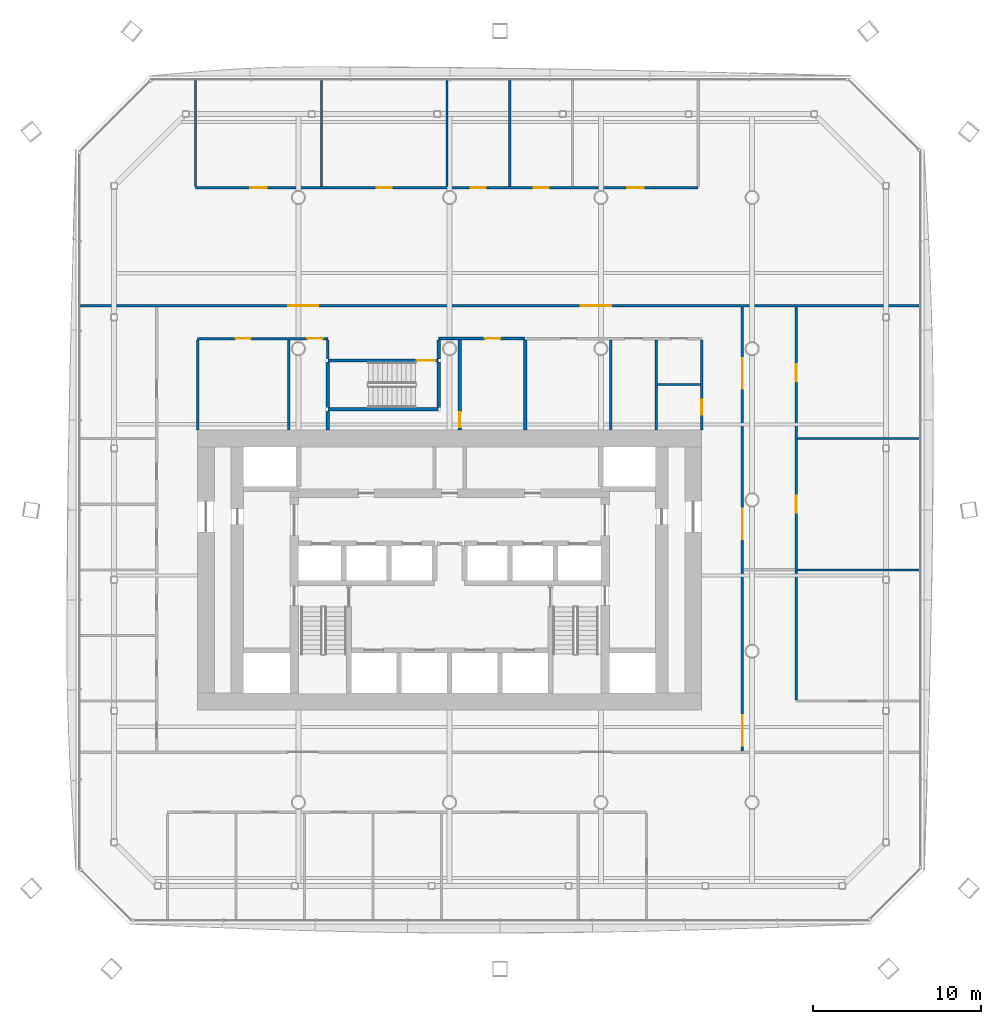
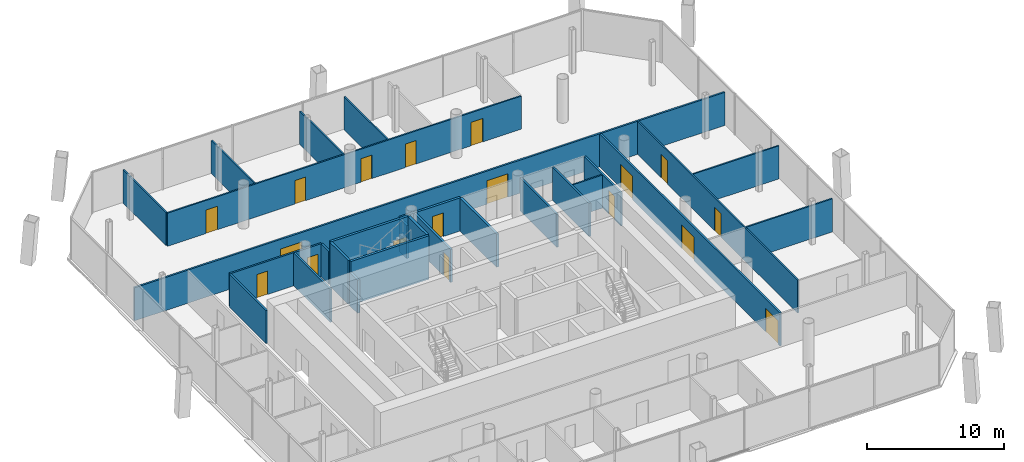
# One storey, part 13 of 19: 27 walls, 18 doors, 18 openings.
"""IFC4 building model written with IfcOpenShell, lengths in metres."""

from ifc_helpers import new_model, si_unit, direction, frame, frame_2d, origin, place, context, subcontext, project, spatial, rectangle, extrude, material, layer, layer_set, type_object, element, fill, save


model = new_model("IFC4")

# Units and contexts
model_context = context("Model", 3, precision=1e-05, world=origin(), true_north=direction((0.0, 1.0)))
body_context = subcontext(model_context, "Body", "Model", "MODEL_VIEW")
ifc_project = project(units=[si_unit("LENGTHUNIT", "METRE"), si_unit("AREAUNIT", "SQUARE_METRE"), si_unit("VOLUMEUNIT", "CUBIC_METRE"), si_unit("PLANEANGLEUNIT", "RADIAN"), si_unit("MASSUNIT", "GRAM", prefix="KILO")], contexts=[model_context])

# Site, building, storey
site_placement = place(None, origin())
site = spatial("IfcSite", under=ifc_project, at=site_placement, CompositionType="ELEMENT")
building_placement = place(site_placement, origin())
building = spatial("IfcBuilding", under=site, at=building_placement, Name="Tskaro Facet Tower", CompositionType="ELEMENT")
storey_placement = place(building_placement, frame((0.0, 0.0, 77.699951171875)))
storey = spatial("IfcBuildingStorey", under=building, at=storey_placement, Name="L18", CompositionType="ELEMENT", Elevation=77.699951171875)

# Walls
ifc_material_1 = material(Name="Gypsum board on steel studs", Category="steel")
ifc_layer_1 = layer(ifc_material_1, 0.125, Name="Gypsum board on steel studs")
ifc_layer_set_1 = layer_set([ifc_layer_1], Name="Gypsum board on steel studs")
wall_type_1 = type_object("IfcWallType", Name="PART", PredefinedType="PARTITIONING", material=ifc_layer_set_1)
for number, where, z_axis, x_axis, name in (
    (1, (20.6875, -4.162109375, 0.0), (0.0, 0.0, 1.0), (1.0, 0.0, 0.0), "Partition W013"),
    (2, (20.6875, 3.64794921875, 0.0), (0.0, 0.0, 1.0), (1.0, 0.0, 0.0), "Partition W021"),
):
    element("IfcWall", number, at=place(storey_placement, frame(where, z_axis=z_axis, x_axis=x_axis)), inside=storey, type_object=wall_type_1, Name=name, PredefinedType="PARTITIONING", context=body_context, shape_type="SweptSolid", body=[
        extrude(rectangle(XDim=7.2734375, YDim=0.125, at=frame_2d((3.63671875, 0.0))), origin(), (0.0, 0.0, 1.0), 2.9599609375),
    ])
wall_1_placement = place(storey_placement, frame((12.375, 6.8779296875, 0.0), z_axis=(0.0, 0.0, 1.0), x_axis=(1.0, 0.0, 0.0)))
element("IfcWall", 3, at=wall_1_placement, inside=storey, type_object=wall_type_1, Name="Partition W023", PredefinedType="PARTITIONING", context=body_context, shape_type="SweptSolid", body=[
    extrude(rectangle(XDim=2.550048828125, YDim=0.125, at=frame_2d((1.27490234375, 0.0))), origin(), (0.0, 0.0, 1.0), 2.9599609375),
])

# Wall, openings, doors
wall_2_placement = place(storey_placement, frame((-15.110107421875, 18.580078125, 0.0), z_axis=(0.0, 0.0, 1.0), x_axis=(1.0, 0.0, 0.0)))
wall_2 = element("IfcWall", 4, at=wall_2_placement, inside=storey, type_object=wall_type_1, Name="Partition W029", PredefinedType="PARTITIONING", context=body_context, shape_type="SweptSolid", body=[
    extrude(rectangle(XDim=29.904052734375, YDim=0.125, at=frame_2d((14.9521484375, 0.0))), origin(), (0.0, 0.0, 1.0), 2.9599609375),
])
opening_1_placement = place(wall_2_placement, frame((25.666015625, 0.0, 0.0)))
opening_1 = element("IfcOpeningElement", 5, at=opening_1_placement, cuts=wall_2, Name="Opening T5-D48", PredefinedType="OPENING", context=body_context, shape_type="SweptSolid", body=[
    extrude(rectangle(XDim=1.0, YDim=2.10009765625, at=frame_2d((0.5, 1.050048828125))), frame((0.0, 0.072509765625, 0.0), z_axis=(0.0, -1.0, 0.0), x_axis=(1.0, 0.0, 0.0)), (0.0, 0.0, 1.0), 0.14501953125),
])
opening_2_placement = place(wall_2_placement, frame((3.238037109375, 0.0, 0.0)))
opening_2 = element("IfcOpeningElement", 6, at=opening_2_placement, cuts=wall_2, Name="Opening T5-D44", PredefinedType="OPENING", context=body_context, shape_type="SweptSolid", body=[
    extrude(rectangle(XDim=1.0, YDim=2.10009765625, at=frame_2d((0.5, 1.050048828125))), frame((0.0, 0.072509765625, 0.0), z_axis=(0.0, -1.0, 0.0), x_axis=(1.0, 0.0, 0.0)), (0.0, 0.0, 1.0), 0.14501953125),
])
opening_3_placement = place(wall_2_placement, frame((10.763916015625, 0.0, 0.0)))
opening_3 = element("IfcOpeningElement", 7, at=opening_3_placement, cuts=wall_2, Name="Opening T5-D45", PredefinedType="OPENING", context=body_context, shape_type="SweptSolid", body=[
    extrude(rectangle(XDim=0.89990234375, YDim=2.10009765625, at=frame_2d((0.449951171875, 1.050048828125))), frame((0.0, 0.072509765625, 0.0), z_axis=(0.0, -1.0, 0.0), x_axis=(1.0, 0.0, 0.0)), (0.0, 0.0, 1.0), 0.14501953125),
])
opening_4_placement = place(wall_2_placement, frame((16.37109375, 0.0, 0.0)))
opening_4 = element("IfcOpeningElement", 8, at=opening_4_placement, cuts=wall_2, Name="Opening T5-D46", PredefinedType="OPENING", context=body_context, shape_type="SweptSolid", body=[
    extrude(rectangle(XDim=0.89990234375, YDim=2.10009765625, at=frame_2d((0.449951171875, 1.050048828125))), frame((0.0, 0.072509765625, 0.0), z_axis=(0.0, -1.0, 0.0), x_axis=(1.0, 0.0, 0.0)), (0.0, 0.0, 1.0), 0.14501953125),
])
opening_5_placement = place(wall_2_placement, frame((20.10888671875, 0.0, 0.0)))
opening_5 = element("IfcOpeningElement", 9, at=opening_5_placement, cuts=wall_2, Name="Opening T5-D47", PredefinedType="OPENING", context=body_context, shape_type="SweptSolid", body=[
    extrude(rectangle(XDim=0.89990234375, YDim=2.10009765625, at=frame_2d((0.449951171875, 1.050048828125))), frame((0.0, 0.072509765625, 0.0), z_axis=(0.0, -1.0, 0.0), x_axis=(1.0, 0.0, 0.0)), (0.0, 0.0, 1.0), 0.14501953125),
])
ifc_material_2 = material(Name="Timber", Category="wood")
door_type_1 = type_object("IfcDoorType", Name="D-ROOM", OperationType="NOTDEFINED", PredefinedType="DOOR", material=ifc_material_2)
door_1_placement = place(opening_3_placement, origin())
door_1 = element("IfcDoor", 10, at=door_1_placement, inside=storey, type_object=door_type_1, Name="Door T5-D45", OperationType="SINGLE_SWING_LEFT", OverallHeight=2.10009765625, OverallWidth=0.89990234375, PredefinedType="DOOR", context=body_context, shape_type="SweptSolid", body=[
    extrude(rectangle(XDim=0.89990234375, YDim=2.10009765625, at=frame_2d((0.449951171875, 1.050048828125))), frame((0.0, 0.02490234375, 0.0), z_axis=(0.0, -1.0, 0.0), x_axis=(1.0, 0.0, 0.0)), (0.0, 0.0, 1.0), 0.050048828125),
])
fill(opening_3, door_1)
door_2_placement = place(opening_4_placement, origin())
door_2 = element("IfcDoor", 11, at=door_2_placement, inside=storey, type_object=door_type_1, Name="Door T5-D46", OperationType="SINGLE_SWING_LEFT", OverallHeight=2.10009765625, OverallWidth=0.89990234375, PredefinedType="DOOR", context=body_context, shape_type="SweptSolid", body=[
    extrude(rectangle(XDim=0.89990234375, YDim=2.10009765625, at=frame_2d((0.449951171875, 1.050048828125))), frame((0.0, 0.02490234375, 0.0), z_axis=(0.0, -1.0, 0.0), x_axis=(1.0, 0.0, 0.0)), (0.0, 0.0, 1.0), 0.050048828125),
])
fill(opening_4, door_2)
door_3_placement = place(opening_5_placement, origin())
door_3 = element("IfcDoor", 12, at=door_3_placement, inside=storey, type_object=door_type_1, Name="Door T5-D47", OperationType="SINGLE_SWING_LEFT", OverallHeight=2.10009765625, OverallWidth=0.89990234375, PredefinedType="DOOR", context=body_context, shape_type="SweptSolid", body=[
    extrude(rectangle(XDim=0.89990234375, YDim=2.10009765625, at=frame_2d((0.449951171875, 1.050048828125))), frame((0.0, 0.02490234375, 0.0), z_axis=(0.0, -1.0, 0.0), x_axis=(1.0, 0.0, 0.0)), (0.0, 0.0, 1.0), 0.050048828125),
])
fill(opening_5, door_3)
door_type_2 = type_object("IfcDoorType", Name="D-ROOM-WIDE", OperationType="NOTDEFINED", PredefinedType="DOOR", material=ifc_material_2)
door_4_placement = place(opening_1_placement, origin())
door_4 = element("IfcDoor", 13, at=door_4_placement, inside=storey, type_object=door_type_2, Name="Door T5-D48", OperationType="SINGLE_SWING_LEFT", OverallHeight=2.10009765625, OverallWidth=1.0, PredefinedType="DOOR", context=body_context, shape_type="SweptSolid", body=[
    extrude(rectangle(XDim=1.0, YDim=2.10009765625, at=frame_2d((0.5, 1.050048828125))), frame((0.0, 0.02490234375, 0.0), z_axis=(0.0, -1.0, 0.0), x_axis=(1.0, 0.0, 0.0)), (0.0, 0.0, 1.0), 0.050048828125),
])
fill(opening_1, door_4)
door_5_placement = place(opening_2_placement, origin())
door_5 = element("IfcDoor", 14, at=door_5_placement, inside=storey, type_object=door_type_2, Name="Door T5-D44", OperationType="SINGLE_SWING_LEFT", OverallHeight=2.10009765625, OverallWidth=1.0, PredefinedType="DOOR", context=body_context, shape_type="SweptSolid", body=[
    extrude(rectangle(XDim=1.0, YDim=2.10009765625, at=frame_2d((0.5, 1.050048828125))), frame((0.0, 0.02490234375, 0.0), z_axis=(0.0, -1.0, 0.0), x_axis=(1.0, 0.0, 0.0)), (0.0, 0.0, 1.0), 0.050048828125),
])
fill(opening_2, door_5)

# Walls
for number, where, z_axis, x_axis, name in (
    (15, (-15.110107421875, 18.642578125, 0.0), (0.0, 0.0, 1.0), (0.0, 1.0, 0.0), "Partition W032"),
    (16, (-7.634033203125, 18.642578125, 0.0), (0.0, 0.0, 1.0), (0.0, 1.0, 0.0), "Partition W038"),
    (17, (-0.157958984375, 18.642578125, 0.0), (0.0, 0.0, 1.0), (0.0, 1.0, 0.0), "Partition W052"),
    (18, (3.580078125, 18.642578125, 0.0), (0.0, 0.0, 1.0), (0.0, 1.0, 0.0), "Partition W058"),
):
    element("IfcWall", number, at=place(storey_placement, frame(where, z_axis=z_axis, x_axis=x_axis)), inside=storey, type_object=wall_type_1, Name=name, PredefinedType="PARTITIONING", context=body_context, shape_type="SweptSolid", body=[
        extrude(rectangle(XDim=6.318359375, YDim=0.125, at=frame_2d((3.1591796875, 0.0))), origin(), (0.0, 0.0, 1.0), 2.9599609375),
    ])

# Wall, openings, doors
wall_3_placement = place(storey_placement, frame((20.625, 11.47998046875, 0.0), z_axis=(0.0, 0.0, 1.0), x_axis=(0.0, -1.0, 0.0)))
wall_3 = element("IfcWall", 19, at=wall_3_placement, inside=storey, type_object=wall_type_1, Name="Partition W072", PredefinedType="PARTITIONING", context=body_context, shape_type="SweptSolid", body=[
    extrude(rectangle(XDim=23.390380859375, YDim=0.125, at=frame_2d((11.6953125, 0.0))), origin(), (0.0, 0.0, 1.0), 2.9599609375),
])
opening_6_placement = place(wall_3_placement, frame((11.237060546875, 0.0, 0.0)))
opening_6 = element("IfcOpeningElement", 20, at=opening_6_placement, cuts=wall_3, Name="Opening T5-D24", PredefinedType="OPENING", context=body_context, shape_type="SweptSolid", body=[
    extrude(rectangle(XDim=1.0, YDim=2.10009765625, at=frame_2d((0.5, 1.050048828125))), frame((0.0, 0.072509765625, 0.0), z_axis=(0.0, -1.0, 0.0), x_axis=(1.0, 0.0, 0.0)), (0.0, 0.0, 1.0), 0.14501953125),
])
opening_7_placement = place(wall_3_placement, frame((3.416015625, 0.0, 0.0)))
opening_7 = element("IfcOpeningElement", 21, at=opening_7_placement, cuts=wall_3, Name="Opening T5-D35", PredefinedType="OPENING", context=body_context, shape_type="SweptSolid", body=[
    extrude(rectangle(XDim=1.0, YDim=2.10009765625, at=frame_2d((0.5, 1.050048828125))), frame((0.0, 0.072509765625, 0.0), z_axis=(0.0, -1.0, 0.0), x_axis=(1.0, 0.0, 0.0)), (0.0, 0.0, 1.0), 0.14501953125),
])
door_6_placement = place(opening_6_placement, origin())
door_6 = element("IfcDoor", 22, at=door_6_placement, inside=storey, type_object=door_type_2, Name="Door T5-D24", OperationType="SINGLE_SWING_RIGHT", OverallHeight=2.10009765625, OverallWidth=1.0, PredefinedType="DOOR", context=body_context, shape_type="SweptSolid", body=[
    extrude(rectangle(XDim=1.0, YDim=2.10009765625, at=frame_2d((0.5, 1.050048828125))), frame((0.0, 0.02490234375, 0.0), z_axis=(0.0, -1.0, 0.0), x_axis=(1.0, 0.0, 0.0)), (0.0, 0.0, 1.0), 0.050048828125),
])
fill(opening_6, door_6)
door_7_placement = place(opening_7_placement, origin())
door_7 = element("IfcDoor", 23, at=door_7_placement, inside=storey, type_object=door_type_2, Name="Door T5-D35", OperationType="SINGLE_SWING_RIGHT", OverallHeight=2.10009765625, OverallWidth=1.0, PredefinedType="DOOR", context=body_context, shape_type="SweptSolid", body=[
    extrude(rectangle(XDim=1.0, YDim=2.10009765625, at=frame_2d((0.5, 1.050048828125))), frame((0.0, 0.02490234375, 0.0), z_axis=(0.0, -1.0, 0.0), x_axis=(1.0, 0.0, 0.0)), (0.0, 0.0, 1.0), 0.050048828125),
])
fill(opening_7, door_7)

ifc_layer_2 = layer(ifc_material_1, 0.14990234375, Name="Gypsum board on steel studs")
ifc_layer_set_2 = layer_set([ifc_layer_2], Name="Gypsum board on steel studs")
wall_type_2 = type_object("IfcWallType", Name="PART-CORR", PredefinedType="PARTITIONING", material=ifc_layer_set_2)
wall_4_placement = place(storey_placement, frame((-7.25, 9.60498046875, 0.0), z_axis=(0.0, 0.0, 1.0), x_axis=(-1.0, 0.0, 0.0)))
wall_4 = element("IfcWall", 24, at=wall_4_placement, inside=storey, type_object=wall_type_2, Name="Corridor wall W025", PredefinedType="PARTITIONING", context=body_context, shape_type="SweptSolid", body=[
    extrude(rectangle(XDim=7.75, YDim=0.14990234375, at=frame_2d((3.875, 0.0))), origin(), (0.0, 0.0, 1.0), 2.9599609375),
])
opening_8_placement = place(wall_4_placement, frame((0.3125, 0.0, 0.0)))
opening_8 = element("IfcOpeningElement", 25, at=opening_8_placement, cuts=wall_4, Name="Opening T5-D37", PredefinedType="OPENING", context=body_context, shape_type="SweptSolid", body=[
    extrude(rectangle(XDim=0.89990234375, YDim=2.10009765625, at=frame_2d((0.449951171875, 1.050048828125))), frame((0.0, 0.0849609375, 0.0), z_axis=(0.0, -1.0, 0.0), x_axis=(1.0, 0.0, 0.0)), (0.0, 0.0, 1.0), 0.169921875),
])
opening_9_placement = place(wall_4_placement, frame((4.58740234375, 0.0, 0.0)))
opening_9 = element("IfcOpeningElement", 26, at=opening_9_placement, cuts=wall_4, Name="Opening T5-D36", PredefinedType="OPENING", context=body_context, shape_type="SweptSolid", body=[
    extrude(rectangle(XDim=0.89990234375, YDim=2.10009765625, at=frame_2d((0.449951171875, 1.050048828125))), frame((0.0, 0.0849609375, 0.0), z_axis=(0.0, -1.0, 0.0), x_axis=(1.0, 0.0, 0.0)), (0.0, 0.0, 1.0), 0.169921875),
])
ifc_material_3 = material(Name="Steel", Category="steel")
door_type_3 = type_object("IfcDoorType", Name="D-RISER", OperationType="NOTDEFINED", PredefinedType="DOOR", material=ifc_material_3)
door_8_placement = place(opening_8_placement, origin())
door_8 = element("IfcDoor", 27, at=door_8_placement, inside=storey, type_object=door_type_3, Name="Door T5-D37", OperationType="SINGLE_SWING_RIGHT", OverallHeight=2.10009765625, OverallWidth=0.89990234375, PredefinedType="DOOR", context=body_context, shape_type="SweptSolid", body=[
    extrude(rectangle(XDim=0.89990234375, YDim=2.10009765625, at=frame_2d((0.449951171875, 1.050048828125))), frame((0.0, 0.02490234375, 0.0), z_axis=(0.0, -1.0, 0.0), x_axis=(1.0, 0.0, 0.0)), (0.0, 0.0, 1.0), 0.050048828125),
])
fill(opening_8, door_8)
door_9_placement = place(opening_9_placement, origin())
door_9 = element("IfcDoor", 28, at=door_9_placement, inside=storey, type_object=door_type_1, Name="Door T5-D36", OperationType="SINGLE_SWING_RIGHT", OverallHeight=2.10009765625, OverallWidth=0.89990234375, PredefinedType="DOOR", context=body_context, shape_type="SweptSolid", body=[
    extrude(rectangle(XDim=0.89990234375, YDim=2.10009765625, at=frame_2d((0.449951171875, 1.050048828125))), frame((0.0, 0.02490234375, 0.0), z_axis=(0.0, -1.0, 0.0), x_axis=(1.0, 0.0, 0.0)), (0.0, 0.0, 1.0), 0.050048828125),
])
fill(opening_9, door_9)

wall_5_placement = place(storey_placement, frame((27.9609375, 11.554931640625, 0.0), z_axis=(0.0, 0.0, 1.0), x_axis=(-1.0, 0.0, 0.0)))
wall_5 = element("IfcWall", 29, at=wall_5_placement, inside=storey, type_object=wall_type_2, Name="Corridor wall W028", PredefinedType="PARTITIONING", context=body_context, shape_type="SweptSolid", body=[
    extrude(rectangle(XDim=49.921875, YDim=0.14990234375, at=frame_2d((24.9609375, 0.0))), origin(), (0.0, 0.0, 1.0), 2.9599609375),
])
opening_10_placement = place(wall_5_placement, frame((35.77392578125, 0.0, 0.0)))
opening_10 = element("IfcOpeningElement", 30, at=opening_10_placement, cuts=wall_5, Name="Opening T5-D42", PredefinedType="OPENING", context=body_context, shape_type="SweptSolid", body=[
    extrude(rectangle(XDim=1.800048828125, YDim=2.10009765625, at=frame_2d((0.89990234375, 1.050048828125))), frame((0.0, 0.0849609375, 0.0), z_axis=(0.0, -1.0, 0.0), x_axis=(1.0, 0.0, 0.0)), (0.0, 0.0, 1.0), 0.169921875),
])
opening_11_placement = place(wall_5_placement, frame((18.347900390625, 0.0, 0.0)))
opening_11 = element("IfcOpeningElement", 31, at=opening_11_placement, cuts=wall_5, Name="Opening T5-D43", PredefinedType="OPENING", context=body_context, shape_type="SweptSolid", body=[
    extrude(rectangle(XDim=1.800048828125, YDim=2.10009765625, at=frame_2d((0.89990234375, 1.050048828125))), frame((0.0, 0.0849609375, 0.0), z_axis=(0.0, -1.0, 0.0), x_axis=(1.0, 0.0, 0.0)), (0.0, 0.0, 1.0), 0.169921875),
])
ifc_material_4 = material(Name="Glass", Category="glass")
door_type_4 = type_object("IfcDoorType", Name="D-ENTRY-PAIR", OperationType="NOTDEFINED", PredefinedType="DOOR", material=ifc_material_4)
door_10_placement = place(opening_10_placement, origin())
door_10 = element("IfcDoor", 32, at=door_10_placement, inside=storey, type_object=door_type_4, Name="Door T5-D42", OperationType="DOUBLE_DOOR_SINGLE_SWING", OverallHeight=2.10009765625, OverallWidth=1.800048828125, PredefinedType="DOOR", context=body_context, shape_type="SweptSolid", body=[
    extrude(rectangle(XDim=1.800048828125, YDim=2.10009765625, at=frame_2d((0.89990234375, 1.050048828125))), frame((0.0, 0.02490234375, 0.0), z_axis=(0.0, -1.0, 0.0), x_axis=(1.0, 0.0, 0.0)), (0.0, 0.0, 1.0), 0.050048828125),
])
fill(opening_10, door_10)
door_11_placement = place(opening_11_placement, origin())
door_11 = element("IfcDoor", 33, at=door_11_placement, inside=storey, type_object=door_type_4, Name="Door T5-D43", OperationType="DOUBLE_DOOR_SINGLE_SWING", OverallHeight=2.10009765625, OverallWidth=1.800048828125, PredefinedType="DOOR", context=body_context, shape_type="SweptSolid", body=[
    extrude(rectangle(XDim=1.800048828125, YDim=2.10009765625, at=frame_2d((0.89990234375, 1.050048828125))), frame((0.0, 0.02490234375, 0.0), z_axis=(0.0, -1.0, 0.0), x_axis=(1.0, 0.0, 0.0)), (0.0, 0.0, 1.0), 0.050048828125),
])
fill(opening_11, door_11)

# Walls
for number, where, z_axis, x_axis, name in (
    (34, (-15.0, 4.14990234375, 0.0), (0.0, 0.0, 1.0), (0.0, 1.0, 0.0), "Corridor wall W033"),
    (35, (-9.574951171875, 4.14990234375, 0.0), (0.0, 0.0, 1.0), (0.0, 1.0, 0.0), "Corridor wall W035"),
):
    element("IfcWall", number, at=place(storey_placement, frame(where, z_axis=z_axis, x_axis=x_axis)), inside=storey, type_object=wall_type_2, Name=name, PredefinedType="PARTITIONING", context=body_context, shape_type="SweptSolid", body=[
        extrude(rectangle(XDim=5.380126953125, YDim=0.14990234375, at=frame_2d((2.68994140625, 0.0))), origin(), (0.0, 0.0, 1.0), 2.9599609375),
    ])
wall_6_placement = place(storey_placement, frame((-7.25, 8.39990234375, 0.0), z_axis=(0.0, 0.0, 1.0), x_axis=(0.0, 1.0, 0.0)))
element("IfcWall", 36, at=wall_6_placement, inside=storey, type_object=wall_type_2, Name="Corridor wall W041", PredefinedType="PARTITIONING", context=body_context, shape_type="SweptSolid", body=[
    extrude(rectangle(XDim=1.130126953125, YDim=0.14990234375, at=frame_2d((0.56494140625, 0.0))), origin(), (0.0, 0.0, 1.0), 2.9599609375),
])
for number, where, z_axis, x_axis, name in (
    (37, (9.574951171875, 4.14990234375, 0.0), (0.0, 0.0, 1.0), (0.0, 1.0, 0.0), "Corridor wall W066"),
    (38, (12.300048828125, 4.14990234375, 0.0), (0.0, 0.0, 1.0), (0.0, 1.0, 0.0), "Corridor wall W068"),
):
    element("IfcWall", number, at=place(storey_placement, frame(where, z_axis=z_axis, x_axis=x_axis)), inside=storey, type_object=wall_type_2, Name=name, PredefinedType="PARTITIONING", context=body_context, shape_type="SweptSolid", body=[
        extrude(rectangle(XDim=5.380126953125, YDim=0.14990234375, at=frame_2d((2.68994140625, 0.0))), origin(), (0.0, 0.0, 1.0), 2.9599609375),
    ])

# Wall, opening, door
wall_7_placement = place(storey_placement, frame((15.0, 4.14990234375, 0.0), z_axis=(0.0, 0.0, 1.0), x_axis=(0.0, 1.0, 0.0)))
wall_7 = element("IfcWall", 39, at=wall_7_placement, inside=storey, type_object=wall_type_2, Name="Corridor wall W070", PredefinedType="PARTITIONING", context=body_context, shape_type="SweptSolid", body=[
    extrude(rectangle(XDim=5.380126953125, YDim=0.14990234375, at=frame_2d((2.68994140625, 0.0))), origin(), (0.0, 0.0, 1.0), 2.9599609375),
])
opening_12_placement = place(wall_7_placement, frame((0.9140625, 0.0, 0.0)))
opening_12 = element("IfcOpeningElement", 40, at=opening_12_placement, cuts=wall_7, Name="Opening T5-D32", PredefinedType="OPENING", context=body_context, shape_type="SweptSolid", body=[
    extrude(rectangle(XDim=0.89990234375, YDim=2.10009765625, at=frame_2d((0.449951171875, 1.050048828125))), frame((0.0, 0.0849609375, 0.0), z_axis=(0.0, -1.0, 0.0), x_axis=(1.0, 0.0, 0.0)), (0.0, 0.0, 1.0), 0.169921875),
])
door_12_placement = place(opening_12_placement, origin())
door_12 = element("IfcDoor", 41, at=door_12_placement, inside=storey, type_object=door_type_1, Name="Door T5-D32", OperationType="SINGLE_SWING_LEFT", OverallHeight=2.10009765625, OverallWidth=0.89990234375, PredefinedType="DOOR", context=body_context, shape_type="SweptSolid", body=[
    extrude(rectangle(XDim=0.89990234375, YDim=2.10009765625, at=frame_2d((0.449951171875, 1.050048828125))), frame((0.0, 0.02490234375, 0.0), z_axis=(0.0, -1.0, 0.0), x_axis=(1.0, 0.0, 0.0)), (0.0, 0.0, 1.0), 0.050048828125),
])
fill(opening_12, door_12)

# Wall, openings, doors
wall_8_placement = place(storey_placement, frame((17.425048828125, -14.925048828125, 0.0), z_axis=(0.0, 0.0, 1.0), x_axis=(0.0, 1.0, 0.0)))
wall_8 = element("IfcWall", 42, at=wall_8_placement, inside=storey, type_object=wall_type_2, Name="Corridor wall W071", PredefinedType="PARTITIONING", context=body_context, shape_type="SweptSolid", body=[
    extrude(rectangle(XDim=26.405029296875, YDim=0.14990234375, at=frame_2d((13.20263671875, 0.0))), origin(), (0.0, 0.0, 1.0), 2.9599609375),
])
opening_13_placement = place(wall_8_placement, frame((0.3125, 0.0, 0.0)))
opening_13 = element("IfcOpeningElement", 43, at=opening_13_placement, cuts=wall_8, Name="Opening T5-D10", PredefinedType="OPENING", context=body_context, shape_type="SweptSolid", body=[
    extrude(rectangle(XDim=1.800048828125, YDim=2.10009765625, at=frame_2d((0.89990234375, 1.050048828125))), frame((0.0, 0.0849609375, 0.0), z_axis=(0.0, -1.0, 0.0), x_axis=(1.0, 0.0, 0.0)), (0.0, 0.0, 1.0), 0.169921875),
])
opening_14_placement = place(wall_8_placement, frame((12.592041015625, 0.0, 0.0)))
opening_14 = element("IfcOpeningElement", 44, at=opening_14_placement, cuts=wall_8, Name="Opening T5-D17", PredefinedType="OPENING", context=body_context, shape_type="SweptSolid", body=[
    extrude(rectangle(XDim=1.800048828125, YDim=2.10009765625, at=frame_2d((0.89990234375, 1.050048828125))), frame((0.0, 0.0849609375, 0.0), z_axis=(0.0, -1.0, 0.0), x_axis=(1.0, 0.0, 0.0)), (0.0, 0.0, 1.0), 0.169921875),
])
opening_15_placement = place(wall_8_placement, frame((21.551025390625, 0.0, 0.0)))
opening_15 = element("IfcOpeningElement", 45, at=opening_15_placement, cuts=wall_8, Name="Opening T5-D34", PredefinedType="OPENING", context=body_context, shape_type="SweptSolid", body=[
    extrude(rectangle(XDim=1.800048828125, YDim=2.10009765625, at=frame_2d((0.89990234375, 1.050048828125))), frame((0.0, 0.0849609375, 0.0), z_axis=(0.0, -1.0, 0.0), x_axis=(1.0, 0.0, 0.0)), (0.0, 0.0, 1.0), 0.169921875),
])
door_13_placement = place(opening_13_placement, origin())
door_13 = element("IfcDoor", 46, at=door_13_placement, inside=storey, type_object=door_type_4, Name="Door T5-D10", OperationType="DOUBLE_DOOR_SINGLE_SWING", OverallHeight=2.10009765625, OverallWidth=1.800048828125, PredefinedType="DOOR", context=body_context, shape_type="SweptSolid", body=[
    extrude(rectangle(XDim=1.800048828125, YDim=2.10009765625, at=frame_2d((0.89990234375, 1.050048828125))), frame((0.0, 0.02490234375, 0.0), z_axis=(0.0, -1.0, 0.0), x_axis=(1.0, 0.0, 0.0)), (0.0, 0.0, 1.0), 0.050048828125),
])
fill(opening_13, door_13)
door_14_placement = place(opening_14_placement, origin())
door_14 = element("IfcDoor", 47, at=door_14_placement, inside=storey, type_object=door_type_4, Name="Door T5-D17", OperationType="DOUBLE_DOOR_SINGLE_SWING", OverallHeight=2.10009765625, OverallWidth=1.800048828125, PredefinedType="DOOR", context=body_context, shape_type="SweptSolid", body=[
    extrude(rectangle(XDim=1.800048828125, YDim=2.10009765625, at=frame_2d((0.89990234375, 1.050048828125))), frame((0.0, 0.02490234375, 0.0), z_axis=(0.0, -1.0, 0.0), x_axis=(1.0, 0.0, 0.0)), (0.0, 0.0, 1.0), 0.050048828125),
])
fill(opening_14, door_14)
door_15_placement = place(opening_15_placement, origin())
door_15 = element("IfcDoor", 48, at=door_15_placement, inside=storey, type_object=door_type_4, Name="Door T5-D34", OperationType="DOUBLE_DOOR_SINGLE_SWING", OverallHeight=2.10009765625, OverallWidth=1.800048828125, PredefinedType="DOOR", context=body_context, shape_type="SweptSolid", body=[
    extrude(rectangle(XDim=1.800048828125, YDim=2.10009765625, at=frame_2d((0.89990234375, 1.050048828125))), frame((0.0, 0.02490234375, 0.0), z_axis=(0.0, -1.0, 0.0), x_axis=(1.0, 0.0, 0.0)), (0.0, 0.0, 1.0), 0.050048828125),
])
fill(opening_15, door_15)

# Wall
ifc_material_5 = material(Name="Concrete C60/75", Category="concrete")
ifc_layer_3 = layer(ifc_material_5, 0.199951171875, Name="Concrete C60/75")
ifc_layer_set_3 = layer_set([ifc_layer_3], Name="Concrete C60/75")
wall_type_3 = type_object("IfcWallType", Name="STAIR-WALL", PredefinedType="SHEAR", material=ifc_layer_set_3)
wall_9_placement = place(storey_placement, frame((-7.25, 5.39990234375, 0.0), z_axis=(0.0, 0.0, 1.0), x_axis=(1.0, 0.0, 0.0)))
element("IfcWall", 49, at=wall_9_placement, inside=storey, type_object=wall_type_3, Name="Stair wall W022", PredefinedType="SHEAR", context=body_context, shape_type="SweptSolid", body=[
    extrude(rectangle(XDim=6.60009765625, YDim=0.199951171875, at=frame_2d((3.300048828125, 0.0))), origin(), (0.0, 0.0, 1.0), 3.900146484375),
])

# Wall, opening, door
wall_10_placement = place(storey_placement, frame((-0.64990234375, 8.300048828125, 0.0), z_axis=(0.0, 0.0, 1.0), x_axis=(-1.0, 0.0, 0.0)))
wall_10 = element("IfcWall", 50, at=wall_10_placement, inside=storey, type_object=wall_type_3, Name="Stair wall W024", PredefinedType="SHEAR", context=body_context, shape_type="SweptSolid", body=[
    extrude(rectangle(XDim=6.60009765625, YDim=0.199951171875, at=frame_2d((3.300048828125, 0.0))), origin(), (0.0, 0.0, 1.0), 3.900146484375),
])
opening_16_placement = place(wall_10_placement, frame((0.199951171875, 0.0, 0.0)))
opening_16 = element("IfcOpeningElement", 51, at=opening_16_placement, cuts=wall_10, Name="Opening ST-3-D1", PredefinedType="OPENING", context=body_context, shape_type="SweptSolid", body=[
    extrude(rectangle(XDim=1.10009765625, YDim=2.10009765625, at=frame_2d((0.550048828125, 1.050048828125))), frame((0.0, 0.10986328125, 0.0), z_axis=(0.0, -1.0, 0.0), x_axis=(1.0, 0.0, 0.0)), (0.0, 0.0, 1.0), 0.219970703125),
])
door_type_5 = type_object("IfcDoorType", Name="D-STAIR", OperationType="NOTDEFINED", PredefinedType="DOOR", material=ifc_material_3)
door_16_placement = place(opening_16_placement, origin())
door_16 = element("IfcDoor", 52, at=door_16_placement, inside=storey, type_object=door_type_5, Name="Stair door 3", OperationType="SINGLE_SWING_RIGHT", OverallHeight=2.10009765625, OverallWidth=1.10009765625, PredefinedType="DOOR", context=body_context, shape_type="SweptSolid", body=[
    extrude(rectangle(XDim=1.10009765625, YDim=2.10009765625, at=frame_2d((0.550048828125, 1.050048828125))), frame((0.0, 0.02490234375, 0.0), z_axis=(0.0, -1.0, 0.0), x_axis=(1.0, 0.0, 0.0)), (0.0, 0.0, 1.0), 0.050048828125),
])
fill(opening_16, door_16)

# Walls
for number, where, z_axis, x_axis, name in (
    (53, (-7.25, 5.5, 0.0), (0.0, 0.0, 1.0), (0.0, 1.0, 0.0), "Stair wall W040"),
    (54, (-0.64990234375, 5.5, 0.0), (0.0, 0.0, 1.0), (0.0, 1.0, 0.0), "Stair wall W049"),
):
    element("IfcWall", number, at=place(storey_placement, frame(where, z_axis=z_axis, x_axis=x_axis)), inside=storey, type_object=wall_type_3, Name=name, PredefinedType="SHEAR", context=body_context, shape_type="SweptSolid", body=[
        extrude(rectangle(XDim=2.699951171875, YDim=0.199951171875, at=frame_2d((1.35009765625, 0.0))), origin(), (0.0, 0.0, 1.0), 3.900146484375),
    ])

# Wall, opening, door
ifc_material_6 = material(Name="Concrete C20/25", Category="concrete")
ifc_layer_4 = layer(ifc_material_6, 0.199951171875, Name="Concrete C20/25")
ifc_layer_set_4 = layer_set([ifc_layer_4], Name="Concrete C20/25")
wall_type_4 = type_object("IfcWallType", Name="WALL-RISER", PredefinedType="SOLIDWALL", material=ifc_layer_set_4)
wall_11_placement = place(storey_placement, frame((4.5, 9.60498046875, 0.0), z_axis=(0.0, 0.0, 1.0), x_axis=(-1.0, 0.0, 0.0)))
wall_11 = element("IfcWall", 55, at=wall_11_placement, inside=storey, type_object=wall_type_4, Name="Riser room wall W026", PredefinedType="SOLIDWALL", context=body_context, shape_type="SweptSolid", body=[
    extrude(rectangle(XDim=5.14990234375, YDim=0.199951171875, at=frame_2d((2.574951171875, 0.0))), origin(), (0.0, 0.0, 1.0), 2.9599609375),
])
opening_17_placement = place(wall_11_placement, frame((1.5, 0.0, 0.0)))
opening_17 = element("IfcOpeningElement", 56, at=opening_17_placement, cuts=wall_11, Name="Opening T5-D38", PredefinedType="OPENING", context=body_context, shape_type="SweptSolid", body=[
    extrude(rectangle(XDim=0.89990234375, YDim=2.10009765625, at=frame_2d((0.449951171875, 1.050048828125))), frame((0.0, 0.10986328125, 0.0), z_axis=(0.0, -1.0, 0.0), x_axis=(1.0, 0.0, 0.0)), (0.0, 0.0, 1.0), 0.219970703125),
])
door_17_placement = place(opening_17_placement, origin())
door_17 = element("IfcDoor", 57, at=door_17_placement, inside=storey, type_object=door_type_3, Name="Door T5-D38", OperationType="SINGLE_SWING_RIGHT", OverallHeight=2.10009765625, OverallWidth=0.89990234375, PredefinedType="DOOR", context=body_context, shape_type="SweptSolid", body=[
    extrude(rectangle(XDim=0.89990234375, YDim=2.10009765625, at=frame_2d((0.449951171875, 1.050048828125))), frame((0.0, 0.02490234375, 0.0), z_axis=(0.0, -1.0, 0.0), x_axis=(1.0, 0.0, 0.0)), (0.0, 0.0, 1.0), 0.050048828125),
])
fill(opening_17, door_17)

# Walls
wall_12_placement = place(storey_placement, frame((-7.25, 4.14990234375, 0.0), z_axis=(0.0, 0.0, 1.0), x_axis=(0.0, 1.0, 0.0)))
element("IfcWall", 58, at=wall_12_placement, inside=storey, type_object=wall_type_4, Name="Riser room wall W039", PredefinedType="SOLIDWALL", context=body_context, shape_type="SweptSolid", body=[
    extrude(rectangle(XDim=1.150146484375, YDim=0.199951171875, at=frame_2d((0.5751953125, 0.0))), origin(), (0.0, 0.0, 1.0), 2.9599609375),
])
wall_13_placement = place(storey_placement, frame((-0.64990234375, 8.39990234375, 0.0), z_axis=(0.0, 0.0, 1.0), x_axis=(0.0, 1.0, 0.0)))
element("IfcWall", 59, at=wall_13_placement, inside=storey, type_object=wall_type_4, Name="Riser room wall W050", PredefinedType="SOLIDWALL", context=body_context, shape_type="SweptSolid", body=[
    extrude(rectangle(XDim=1.10498046875, YDim=0.199951171875, at=frame_2d((0.552490234375, 0.0))), origin(), (0.0, 0.0, 1.0), 2.9599609375),
])

# Wall, opening, door
wall_14_placement = place(storey_placement, frame((0.60009765625, 4.14990234375, 0.0), z_axis=(0.0, 0.0, 1.0), x_axis=(0.0, 1.0, 0.0)))
wall_14 = element("IfcWall", 60, at=wall_14_placement, inside=storey, type_object=wall_type_4, Name="Riser room wall W054", PredefinedType="SOLIDWALL", context=body_context, shape_type="SweptSolid", body=[
    extrude(rectangle(XDim=5.35498046875, YDim=0.199951171875, at=frame_2d((2.677490234375, 0.0))), origin(), (0.0, 0.0, 1.0), 2.9599609375),
])
opening_18_placement = place(wall_14_placement, frame((0.175048828125, 0.0, 0.0)))
opening_18 = element("IfcOpeningElement", 61, at=opening_18_placement, cuts=wall_14, Name="Opening T5-D31", PredefinedType="OPENING", context=body_context, shape_type="SweptSolid", body=[
    extrude(rectangle(XDim=0.89990234375, YDim=2.10009765625, at=frame_2d((0.449951171875, 1.050048828125))), frame((0.0, 0.10986328125, 0.0), z_axis=(0.0, -1.0, 0.0), x_axis=(1.0, 0.0, 0.0)), (0.0, 0.0, 1.0), 0.219970703125),
])
door_18_placement = place(opening_18_placement, origin())
door_18 = element("IfcDoor", 62, at=door_18_placement, inside=storey, type_object=door_type_3, Name="Door T5-D31", OperationType="SINGLE_SWING_LEFT", OverallHeight=2.10009765625, OverallWidth=0.89990234375, PredefinedType="DOOR", context=body_context, shape_type="SweptSolid", body=[
    extrude(rectangle(XDim=0.89990234375, YDim=2.10009765625, at=frame_2d((0.449951171875, 1.050048828125))), frame((0.0, 0.02490234375, 0.0), z_axis=(0.0, -1.0, 0.0), x_axis=(1.0, 0.0, 0.0)), (0.0, 0.0, 1.0), 0.050048828125),
])
fill(opening_18, door_18)

# Wall
wall_15_placement = place(storey_placement, frame((4.5, 4.14990234375, 0.0), z_axis=(0.0, 0.0, 1.0), x_axis=(0.0, 1.0, 0.0)))
element("IfcWall", 63, at=wall_15_placement, inside=storey, type_object=wall_type_4, Name="Riser room wall W060", PredefinedType="SOLIDWALL", context=body_context, shape_type="SweptSolid", body=[
    extrude(rectangle(XDim=5.35498046875, YDim=0.199951171875, at=frame_2d((2.677490234375, 0.0))), origin(), (0.0, 0.0, 1.0), 2.9599609375),
])

save(model, "model.ifc")
